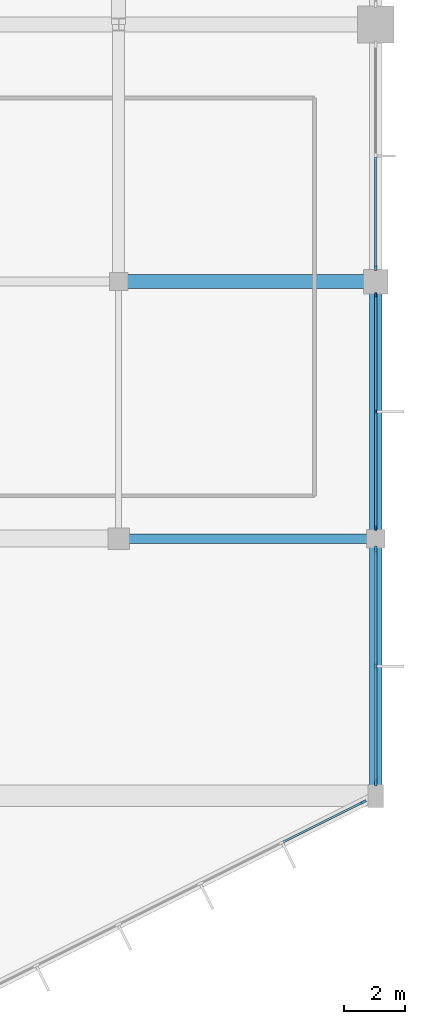
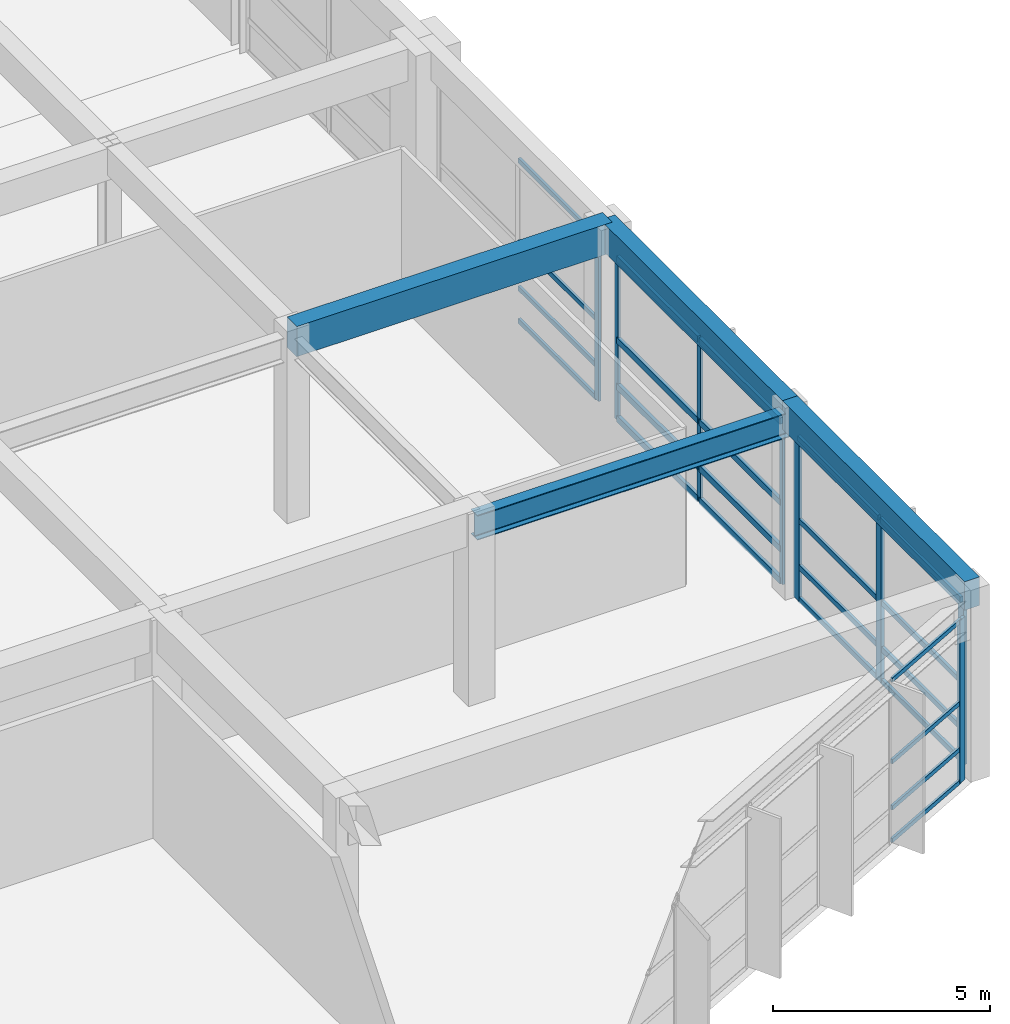
# One storey, part 29 of 62: 32 members, 4 beams, 4 elements without a shape of their own.
"""IFC4 building model written with IfcOpenShell, lengths in metres."""

from ifc_helpers import new_model, si_unit, direction, frame, origin, origin_2d, place, context, subcontext, project, spatial, rectangle, i_section, extrude, material, material_profile, profile_set, type_object, element, aggregate, save


model = new_model("IFC4")

# Units and contexts
model_context = context("Model", 3, precision=1e-05, world=origin(), true_north=direction((0.0, 1.0)))
body_context = subcontext(model_context, "Body", "Model", "MODEL_VIEW")
ifc_project = project(units=[si_unit("LENGTHUNIT", "METRE"), si_unit("AREAUNIT", "SQUARE_METRE"), si_unit("VOLUMEUNIT", "CUBIC_METRE"), si_unit("PLANEANGLEUNIT", "RADIAN"), si_unit("MASSUNIT", "GRAM", prefix="KILO")], contexts=[model_context])

# Site, building, storey
site_placement = place(None, origin())
site = spatial("IfcSite", under=ifc_project, at=site_placement, CompositionType="ELEMENT")
building_placement = place(site_placement, origin())
building = spatial("IfcBuilding", under=site, at=building_placement, Name="Xuanlan Plaza Opera House", CompositionType="ELEMENT")
storey_placement = place(building_placement, origin())
storey = spatial("IfcBuildingStorey", under=building, at=storey_placement, Name="L00", CompositionType="ELEMENT", Elevation=0.0)

# Curtain wall, members
ifc_material_1 = material(Name="Anodised Aluminium 6063-T6 and Low-E Glass", Category="aluminium")
curtain_wall_type_1 = type_object("IfcCurtainWallType", Name="ENV-CW-CW-01", PredefinedType="USERDEFINED", material=ifc_material_1)
curtain_wall_1_placement = place(storey_placement, origin())
curtain_wall_1 = element("IfcCurtainWall", 1, at=curtain_wall_1_placement, inside=storey, type_object=curtain_wall_type_1, Name="Unitised Curtain Wall L00-019", ObjectType="UNITISED CURTAIN WALL", PredefinedType="USERDEFINED")
ifc_material_2 = material(Name="Anodised Aluminium 6063-T6", Category="aluminium")
ifc_material_profile_1 = material_profile(ifc_material_2, rectangle(XDim=0.06494140625, YDim=0.159912109375, at=origin_2d()), Name="ALU-M 65x160")
ifc_profile_set_1 = profile_set([ifc_material_profile_1], Name="Anodised Aluminium 6063-T6")
member_type_1 = type_object("IfcMemberType", Name="ENV-CWM-01", PredefinedType="MULLION", material=ifc_profile_set_1)
member_1_placement = place(storey_placement, frame((168.0, 17.152587890625, 0.0), z_axis=(0.0, 0.0, 1.0), x_axis=(-1.0, 0.0, 0.0)))
member_1 = element("IfcMember", 2, at=member_1_placement, type_object=member_type_1, Name="CW-01 mullion 1", PredefinedType="MULLION", context=body_context, shape_type="SweptSolid", body=[
    extrude(rectangle(XDim=0.06494140625, YDim=0.159912109375, at=origin_2d()), origin(), (0.0, 0.0, 1.0), 4.580078125),
])
member_2_placement = place(storey_placement, frame((168.0, 20.949951171875, 0.0), z_axis=(0.0, 0.0, 1.0), x_axis=(-1.0, 0.0, 0.0)))
member_2 = element("IfcMember", 3, at=member_2_placement, type_object=member_type_1, Name="CW-01 mullion 2", PredefinedType="MULLION", context=body_context, shape_type="SweptSolid", body=[
    extrude(rectangle(XDim=0.06494140625, YDim=0.159912109375, at=origin_2d()), origin(), (0.0, 0.0, 1.0), 4.580078125),
])
member_3_placement = place(storey_placement, frame((168.0, 24.74755859375, 0.0), z_axis=(0.0, 0.0, 1.0), x_axis=(-1.0, 0.0, 0.0)))
member_3 = element("IfcMember", 4, at=member_3_placement, type_object=member_type_1, Name="CW-01 mullion 3", PredefinedType="MULLION", context=body_context, shape_type="SweptSolid", body=[
    extrude(rectangle(XDim=0.06494140625, YDim=0.159912109375, at=origin_2d()), origin(), (0.0, 0.0, 1.0), 4.580078125),
])

# Curtain wall, member
curtain_wall_type_2 = type_object("IfcCurtainWallType", Name="ENV-CW-CW-02", PredefinedType="USERDEFINED", material=ifc_material_1)
curtain_wall_2_placement = place(storey_placement, origin())
curtain_wall_2 = element("IfcCurtainWall", 5, at=curtain_wall_2_placement, inside=storey, type_object=curtain_wall_type_2, Name="Unitised Curtain Wall L00-020", ObjectType="UNITISED CURTAIN WALL", PredefinedType="USERDEFINED")
ifc_material_profile_2 = material_profile(ifc_material_2, rectangle(XDim=0.070068359375, YDim=0.179931640625, at=origin_2d()), Name="ALU-M 70x180")
ifc_profile_set_2 = profile_set([ifc_material_profile_2], Name="Anodised Aluminium 6063-T6")
member_type_2 = type_object("IfcMemberType", Name="ENV-CWM-02", PredefinedType="MULLION", material=ifc_profile_set_2)
member_4_placement = place(storey_placement, frame((168.0, 25.655029296875, 0.0), z_axis=(0.0, 0.0, 1.0), x_axis=(-1.0, 0.0, 0.0)))
member_4 = element("IfcMember", 6, at=member_4_placement, type_object=member_type_2, Name="CW-02 mullion 1", PredefinedType="MULLION", context=body_context, shape_type="SweptSolid", body=[
    extrude(rectangle(XDim=0.070068359375, YDim=0.179931640625, at=origin_2d()), origin(), (0.0, 0.0, 1.0), 4.580078125),
])

curtain_wall_type_3 = type_object("IfcCurtainWallType", Name="ENV-CW-CW-03", PredefinedType="USERDEFINED", material=ifc_material_1)
curtain_wall_3_placement = place(storey_placement, origin())
curtain_wall_3 = element("IfcCurtainWall", 7, at=curtain_wall_3_placement, inside=storey, type_object=curtain_wall_type_3, Name="Unitised Curtain Wall L00-017", ObjectType="UNITISED CURTAIN WALL", PredefinedType="USERDEFINED")
ifc_material_profile_3 = material_profile(ifc_material_2, rectangle(XDim=0.080078125, YDim=0.219970703125, at=origin_2d()), Name="ALU-M 80x220")
ifc_profile_set_3 = profile_set([ifc_material_profile_3], Name="Anodised Aluminium 6063-T6")
member_type_3 = type_object("IfcMemberType", Name="ENV-CWM-04", PredefinedType="MULLION", material=ifc_profile_set_3)
member_5_placement = place(storey_placement, frame((167.589111328125, 8.194580078125, 0.0), z_axis=(0.0, 0.0, 1.0), x_axis=(-0.447213595499, 0.894427191001, 0.0)))
member_5 = element("IfcMember", 8, at=member_5_placement, type_object=member_type_3, Name="CW-03 mullion 7", PredefinedType="MULLION", context=body_context, shape_type="SweptSolid", body=[
    extrude(rectangle(XDim=0.080078125, YDim=0.219970703125, at=origin_2d()), origin(), (0.0, 0.0, 1.0), 4.580078125),
])

# Curtain wall, members
curtain_wall_type_4 = type_object("IfcCurtainWallType", Name="ENV-CW-CW-04", PredefinedType="USERDEFINED", material=ifc_material_1)
curtain_wall_4_placement = place(storey_placement, origin())
curtain_wall_4 = element("IfcCurtainWall", 9, at=curtain_wall_4_placement, inside=storey, type_object=curtain_wall_type_4, Name="Unitised Curtain Wall L00-018", ObjectType="UNITISED CURTAIN WALL", PredefinedType="USERDEFINED")
ifc_material_profile_4 = material_profile(ifc_material_2, rectangle(XDim=0.090087890625, YDim=0.25, at=origin_2d()), Name="ALU-M 90x250")
ifc_profile_set_4 = profile_set([ifc_material_profile_4], Name="Anodised Aluminium 6063-T6")
member_type_4 = type_object("IfcMemberType", Name="ENV-CWM-05", PredefinedType="MULLION", material=ifc_profile_set_4)
member_6_placement = place(storey_placement, frame((168.0, 8.840087890625, 0.0), z_axis=(0.0, 0.0, 1.0), x_axis=(-1.0, 0.0, 0.0)))
member_6 = element("IfcMember", 10, at=member_6_placement, type_object=member_type_4, Name="CW-04 mullion 1", PredefinedType="MULLION", context=body_context, shape_type="SweptSolid", body=[
    extrude(rectangle(XDim=0.090087890625, YDim=0.25, at=origin_2d()), origin(), (0.0, 0.0, 1.0), 4.580078125),
])
member_7_placement = place(storey_placement, frame((168.0, 12.637451171875, 0.0), z_axis=(0.0, 0.0, 1.0), x_axis=(-1.0, 0.0, 0.0)))
member_7 = element("IfcMember", 11, at=member_7_placement, type_object=member_type_4, Name="CW-04 mullion 2", PredefinedType="MULLION", context=body_context, shape_type="SweptSolid", body=[
    extrude(rectangle(XDim=0.090087890625, YDim=0.25, at=origin_2d()), origin(), (0.0, 0.0, 1.0), 4.580078125),
])
member_8_placement = place(storey_placement, frame((168.0, 16.43505859375, 0.0), z_axis=(0.0, 0.0, 1.0), x_axis=(-1.0, 0.0, 0.0)))
member_8 = element("IfcMember", 12, at=member_8_placement, type_object=member_type_4, Name="CW-04 mullion 3", PredefinedType="MULLION", context=body_context, shape_type="SweptSolid", body=[
    extrude(rectangle(XDim=0.090087890625, YDim=0.25, at=origin_2d()), origin(), (0.0, 0.0, 1.0), 4.580078125),
])

# Member
ifc_material_profile_5 = material_profile(ifc_material_2, rectangle(XDim=0.06494140625, YDim=0.1201171875, at=origin_2d()), Name="ALU-T 65x120")
ifc_profile_set_5 = profile_set([ifc_material_profile_5], Name="Anodised Aluminium 6063-T6")
member_type_5 = type_object("IfcMemberType", Name="ENV-CWT-01", PredefinedType="USERDEFINED", material=ifc_profile_set_5)
member_9_placement = place(storey_placement, frame((164.9814453125, 6.890625, 0.032470703125), z_axis=(0.894427191, 0.4472135955, 0.0), x_axis=(-0.4472135955, 0.894427191, 0.0)))
member_9 = element("IfcMember", 13, at=member_9_placement, type_object=member_type_5, Name="CW-03 transom 6.1", ObjectType="TRANSOM", PredefinedType="USERDEFINED", context=body_context, shape_type="SweptSolid", body=[
    extrude(rectangle(XDim=0.06494140625, YDim=0.1201171875, at=origin_2d()), origin(), (0.0, 0.0, 1.0), 2.875244140625),
])

member_10_placement = place(storey_placement, frame((164.9814453125, 6.890625, 0.949951171875), z_axis=(0.894427191, 0.4472135955, 0.0), x_axis=(-0.4472135955, 0.894427191, 0.0)))
member_10 = element("IfcMember", 14, at=member_10_placement, type_object=member_type_5, Name="CW-03 transom 6.2", ObjectType="TRANSOM", PredefinedType="USERDEFINED", context=body_context, shape_type="SweptSolid", body=[
    extrude(rectangle(XDim=0.06494140625, YDim=0.1201171875, at=origin_2d()), origin(), (0.0, 0.0, 1.0), 2.875244140625),
])

member_11_placement = place(storey_placement, frame((164.9814453125, 6.890625, 2.25), z_axis=(0.894427191, 0.4472135955, 0.0), x_axis=(-0.4472135955, 0.894427191, 0.0)))
member_11 = element("IfcMember", 15, at=member_11_placement, type_object=member_type_5, Name="CW-03 transom 6.3", ObjectType="TRANSOM", PredefinedType="USERDEFINED", context=body_context, shape_type="SweptSolid", body=[
    extrude(rectangle(XDim=0.06494140625, YDim=0.1201171875, at=origin_2d()), origin(), (0.0, 0.0, 1.0), 2.875244140625),
])

member_12_placement = place(storey_placement, frame((164.9814453125, 6.890625, 4.547607421875), z_axis=(0.894427191, 0.4472135955, 0.0), x_axis=(-0.4472135955, 0.894427191, 0.0)))
member_12 = element("IfcMember", 16, at=member_12_placement, type_object=member_type_5, Name="CW-03 transom 6.4", ObjectType="TRANSOM", PredefinedType="USERDEFINED", context=body_context, shape_type="SweptSolid", body=[
    extrude(rectangle(XDim=0.06494140625, YDim=0.1201171875, at=origin_2d()), origin(), (0.0, 0.0, 1.0), 2.875244140625),
])

aggregate(curtain_wall_3, [member_5, member_9, member_10, member_11, member_12])

ifc_material_profile_6 = material_profile(ifc_material_2, rectangle(XDim=0.070068359375, YDim=0.135009765625, at=origin_2d()), Name="ALU-T 70x135")
ifc_profile_set_6 = profile_set([ifc_material_profile_6], Name="Anodised Aluminium 6063-T6")
member_type_6 = type_object("IfcMemberType", Name="ENV-CWT-02", PredefinedType="USERDEFINED", material=ifc_profile_set_6)
member_13_placement = place(storey_placement, frame((168.0, 25.68994140625, 0.034912109375), z_axis=(0.0, 1.0, 0.0), x_axis=(-1.0, 0.0, 0.0)))
member_13 = element("IfcMember", 17, at=member_13_placement, type_object=member_type_6, Name="CW-02 transom 1.1", ObjectType="TRANSOM", PredefinedType="USERDEFINED", context=body_context, shape_type="SweptSolid", body=[
    extrude(rectangle(XDim=0.070068359375, YDim=0.135009765625, at=origin_2d()), origin(), (0.0, 0.0, 1.0), 3.574951171875),
])

member_14_placement = place(storey_placement, frame((168.0, 25.68994140625, 0.949951171875), z_axis=(0.0, 1.0, 0.0), x_axis=(-1.0, 0.0, 0.0)))
member_14 = element("IfcMember", 18, at=member_14_placement, type_object=member_type_6, Name="CW-02 transom 1.2", ObjectType="TRANSOM", PredefinedType="USERDEFINED", context=body_context, shape_type="SweptSolid", body=[
    extrude(rectangle(XDim=0.070068359375, YDim=0.135009765625, at=origin_2d()), origin(), (0.0, 0.0, 1.0), 3.574951171875),
])

member_15_placement = place(storey_placement, frame((168.0, 25.68994140625, 2.25), z_axis=(0.0, 1.0, 0.0), x_axis=(-1.0, 0.0, 0.0)))
member_15 = element("IfcMember", 19, at=member_15_placement, type_object=member_type_6, Name="CW-02 transom 1.3", ObjectType="TRANSOM", PredefinedType="USERDEFINED", context=body_context, shape_type="SweptSolid", body=[
    extrude(rectangle(XDim=0.070068359375, YDim=0.135009765625, at=origin_2d()), origin(), (0.0, 0.0, 1.0), 3.574951171875),
])

member_16_placement = place(storey_placement, frame((168.0, 25.68994140625, 4.544921875), z_axis=(0.0, 1.0, 0.0), x_axis=(-1.0, 0.0, 0.0)))
member_16 = element("IfcMember", 20, at=member_16_placement, type_object=member_type_6, Name="CW-02 transom 1.4", ObjectType="TRANSOM", PredefinedType="USERDEFINED", context=body_context, shape_type="SweptSolid", body=[
    extrude(rectangle(XDim=0.070068359375, YDim=0.135009765625, at=origin_2d()), origin(), (0.0, 0.0, 1.0), 3.574951171875),
])

aggregate(curtain_wall_2, [member_4, member_13, member_14, member_15, member_16])

ifc_material_profile_7 = material_profile(ifc_material_2, rectangle(XDim=0.074951171875, YDim=0.14990234375, at=origin_2d()), Name="ALU-T 75x150")
ifc_profile_set_7 = profile_set([ifc_material_profile_7], Name="Anodised Aluminium 6063-T6")
member_type_7 = type_object("IfcMemberType", Name="ENV-CWT-03", PredefinedType="USERDEFINED", material=ifc_profile_set_7)
member_17_placement = place(storey_placement, frame((168.0, 8.885009765625, 0.03759765625), z_axis=(0.0, 1.0, 0.0), x_axis=(-1.0, 0.0, 0.0)))
member_17 = element("IfcMember", 21, at=member_17_placement, type_object=member_type_7, Name="CW-04 transom 1.1", ObjectType="TRANSOM", PredefinedType="USERDEFINED", context=body_context, shape_type="SweptSolid", body=[
    extrude(rectangle(XDim=0.074951171875, YDim=0.14990234375, at=origin_2d()), origin(), (0.0, 0.0, 1.0), 3.70751953125),
])

member_18_placement = place(storey_placement, frame((168.0, 8.885009765625, 0.949951171875), z_axis=(0.0, 1.0, 0.0), x_axis=(-1.0, 0.0, 0.0)))
member_18 = element("IfcMember", 22, at=member_18_placement, type_object=member_type_7, Name="CW-04 transom 1.2", ObjectType="TRANSOM", PredefinedType="USERDEFINED", context=body_context, shape_type="SweptSolid", body=[
    extrude(rectangle(XDim=0.074951171875, YDim=0.14990234375, at=origin_2d()), origin(), (0.0, 0.0, 1.0), 3.70751953125),
])

member_19_placement = place(storey_placement, frame((168.0, 8.885009765625, 2.25), z_axis=(0.0, 1.0, 0.0), x_axis=(-1.0, 0.0, 0.0)))
member_19 = element("IfcMember", 23, at=member_19_placement, type_object=member_type_7, Name="CW-04 transom 1.3", ObjectType="TRANSOM", PredefinedType="USERDEFINED", context=body_context, shape_type="SweptSolid", body=[
    extrude(rectangle(XDim=0.074951171875, YDim=0.14990234375, at=origin_2d()), origin(), (0.0, 0.0, 1.0), 3.70751953125),
])

member_20_placement = place(storey_placement, frame((168.0, 8.885009765625, 4.54248046875), z_axis=(0.0, 1.0, 0.0), x_axis=(-1.0, 0.0, 0.0)))
member_20 = element("IfcMember", 24, at=member_20_placement, type_object=member_type_7, Name="CW-04 transom 1.4", ObjectType="TRANSOM", PredefinedType="USERDEFINED", context=body_context, shape_type="SweptSolid", body=[
    extrude(rectangle(XDim=0.074951171875, YDim=0.14990234375, at=origin_2d()), origin(), (0.0, 0.0, 1.0), 3.70751953125),
])

member_21_placement = place(storey_placement, frame((168.0, 12.6826171875, 0.03759765625), z_axis=(0.0, 1.0, 0.0), x_axis=(-1.0, 0.0, 0.0)))
member_21 = element("IfcMember", 25, at=member_21_placement, type_object=member_type_7, Name="CW-04 transom 2.1", ObjectType="TRANSOM", PredefinedType="USERDEFINED", context=body_context, shape_type="SweptSolid", body=[
    extrude(rectangle(XDim=0.074951171875, YDim=0.14990234375, at=origin_2d()), origin(), (0.0, 0.0, 1.0), 3.707275390625),
])

member_22_placement = place(storey_placement, frame((168.0, 12.6826171875, 0.949951171875), z_axis=(0.0, 1.0, 0.0), x_axis=(-1.0, 0.0, 0.0)))
member_22 = element("IfcMember", 26, at=member_22_placement, type_object=member_type_7, Name="CW-04 transom 2.2", ObjectType="TRANSOM", PredefinedType="USERDEFINED", context=body_context, shape_type="SweptSolid", body=[
    extrude(rectangle(XDim=0.074951171875, YDim=0.14990234375, at=origin_2d()), origin(), (0.0, 0.0, 1.0), 3.707275390625),
])

member_23_placement = place(storey_placement, frame((168.0, 12.6826171875, 2.25), z_axis=(0.0, 1.0, 0.0), x_axis=(-1.0, 0.0, 0.0)))
member_23 = element("IfcMember", 27, at=member_23_placement, type_object=member_type_7, Name="CW-04 transom 2.3", ObjectType="TRANSOM", PredefinedType="USERDEFINED", context=body_context, shape_type="SweptSolid", body=[
    extrude(rectangle(XDim=0.074951171875, YDim=0.14990234375, at=origin_2d()), origin(), (0.0, 0.0, 1.0), 3.707275390625),
])

member_24_placement = place(storey_placement, frame((168.0, 12.6826171875, 4.54248046875), z_axis=(0.0, 1.0, 0.0), x_axis=(-1.0, 0.0, 0.0)))
member_24 = element("IfcMember", 28, at=member_24_placement, type_object=member_type_7, Name="CW-04 transom 2.4", ObjectType="TRANSOM", PredefinedType="USERDEFINED", context=body_context, shape_type="SweptSolid", body=[
    extrude(rectangle(XDim=0.074951171875, YDim=0.14990234375, at=origin_2d()), origin(), (0.0, 0.0, 1.0), 3.707275390625),
])

aggregate(curtain_wall_4, [member_6, member_7, member_8, member_17, member_18, member_19, member_20, member_21, member_22, member_23, member_24])

ifc_material_profile_8 = material_profile(ifc_material_2, rectangle(XDim=0.090087890625, YDim=0.179931640625, at=origin_2d()), Name="ALU-T 90x180")
ifc_profile_set_8 = profile_set([ifc_material_profile_8], Name="Anodised Aluminium 6063-T6")
member_type_8 = type_object("IfcMemberType", Name="ENV-CWT-05", PredefinedType="USERDEFINED", material=ifc_profile_set_8)
member_25_placement = place(storey_placement, frame((168.0, 17.18505859375, 0.044921875), z_axis=(0.0, 1.0, 0.0), x_axis=(-1.0, 0.0, 0.0)))
member_25 = element("IfcMember", 29, at=member_25_placement, type_object=member_type_8, Name="CW-01 transom 1.1", ObjectType="TRANSOM", PredefinedType="USERDEFINED", context=body_context, shape_type="SweptSolid", body=[
    extrude(rectangle(XDim=0.090087890625, YDim=0.179931640625, at=origin_2d()), origin(), (0.0, 0.0, 1.0), 3.732421875),
])

member_26_placement = place(storey_placement, frame((168.0, 17.18505859375, 0.949951171875), z_axis=(0.0, 1.0, 0.0), x_axis=(-1.0, 0.0, 0.0)))
member_26 = element("IfcMember", 30, at=member_26_placement, type_object=member_type_8, Name="CW-01 transom 1.2", ObjectType="TRANSOM", PredefinedType="USERDEFINED", context=body_context, shape_type="SweptSolid", body=[
    extrude(rectangle(XDim=0.090087890625, YDim=0.179931640625, at=origin_2d()), origin(), (0.0, 0.0, 1.0), 3.732421875),
])

member_27_placement = place(storey_placement, frame((168.0, 17.18505859375, 2.25), z_axis=(0.0, 1.0, 0.0), x_axis=(-1.0, 0.0, 0.0)))
member_27 = element("IfcMember", 31, at=member_27_placement, type_object=member_type_8, Name="CW-01 transom 1.3", ObjectType="TRANSOM", PredefinedType="USERDEFINED", context=body_context, shape_type="SweptSolid", body=[
    extrude(rectangle(XDim=0.090087890625, YDim=0.179931640625, at=origin_2d()), origin(), (0.0, 0.0, 1.0), 3.732421875),
])

member_28_placement = place(storey_placement, frame((168.0, 17.18505859375, 4.534912109375), z_axis=(0.0, 1.0, 0.0), x_axis=(-1.0, 0.0, 0.0)))
member_28 = element("IfcMember", 32, at=member_28_placement, type_object=member_type_8, Name="CW-01 transom 1.4", ObjectType="TRANSOM", PredefinedType="USERDEFINED", context=body_context, shape_type="SweptSolid", body=[
    extrude(rectangle(XDim=0.090087890625, YDim=0.179931640625, at=origin_2d()), origin(), (0.0, 0.0, 1.0), 3.732421875),
])

member_29_placement = place(storey_placement, frame((168.0, 20.982421875, 0.044921875), z_axis=(0.0, 1.0, 0.0), x_axis=(-1.0, 0.0, 0.0)))
member_29 = element("IfcMember", 33, at=member_29_placement, type_object=member_type_8, Name="CW-01 transom 2.1", ObjectType="TRANSOM", PredefinedType="USERDEFINED", context=body_context, shape_type="SweptSolid", body=[
    extrude(rectangle(XDim=0.090087890625, YDim=0.179931640625, at=origin_2d()), origin(), (0.0, 0.0, 1.0), 3.732666015625),
])

member_30_placement = place(storey_placement, frame((168.0, 20.982421875, 0.949951171875), z_axis=(0.0, 1.0, 0.0), x_axis=(-1.0, 0.0, 0.0)))
member_30 = element("IfcMember", 34, at=member_30_placement, type_object=member_type_8, Name="CW-01 transom 2.2", ObjectType="TRANSOM", PredefinedType="USERDEFINED", context=body_context, shape_type="SweptSolid", body=[
    extrude(rectangle(XDim=0.090087890625, YDim=0.179931640625, at=origin_2d()), origin(), (0.0, 0.0, 1.0), 3.732666015625),
])

member_31_placement = place(storey_placement, frame((168.0, 20.982421875, 2.25), z_axis=(0.0, 1.0, 0.0), x_axis=(-1.0, 0.0, 0.0)))
member_31 = element("IfcMember", 35, at=member_31_placement, type_object=member_type_8, Name="CW-01 transom 2.3", ObjectType="TRANSOM", PredefinedType="USERDEFINED", context=body_context, shape_type="SweptSolid", body=[
    extrude(rectangle(XDim=0.090087890625, YDim=0.179931640625, at=origin_2d()), origin(), (0.0, 0.0, 1.0), 3.732666015625),
])

member_32_placement = place(storey_placement, frame((168.0, 20.982421875, 4.534912109375), z_axis=(0.0, 1.0, 0.0), x_axis=(-1.0, 0.0, 0.0)))
member_32 = element("IfcMember", 36, at=member_32_placement, type_object=member_type_8, Name="CW-01 transom 2.4", ObjectType="TRANSOM", PredefinedType="USERDEFINED", context=body_context, shape_type="SweptSolid", body=[
    extrude(rectangle(XDim=0.090087890625, YDim=0.179931640625, at=origin_2d()), origin(), (0.0, 0.0, 1.0), 3.732666015625),
])

aggregate(curtain_wall_1, [member_1, member_2, member_3, member_25, member_26, member_27, member_28, member_29, member_30, member_31, member_32])

# Beams
ifc_material_3 = material(Name="Concrete C40", Category="concrete")
ifc_material_profile_9 = material_profile(ifc_material_3, rectangle(XDim=0.449951171875, YDim=0.85009765625, at=origin_2d()), Name="RC-BM 450x850")
ifc_profile_set_9 = profile_set([ifc_material_profile_9], Name="Concrete C40")
beam_type_1 = type_object("IfcBeamType", Name="STR-BM-B-04", PredefinedType="BEAM", material=ifc_profile_set_9)
beam_1_placement = place(storey_placement, frame((159.60009765625, 25.199951171875, 4.97509765625), z_axis=(1.0, 0.0, 0.0), x_axis=(0.0, 1.0, 0.0)))
element("IfcBeam", 37, at=beam_1_placement, inside=storey, type_object=beam_type_1, Name="Grid Beam X L00 20-21/D", PredefinedType="BEAM", context=body_context, shape_type="SweptSolid", body=[
    extrude(rectangle(XDim=0.449951171875, YDim=0.85009765625, at=origin_2d()), origin(), (0.0, 0.0, 1.0), 8.39990234375),
])
ifc_material_4 = material(Name="Steel Q355B", Category="steel")
ifc_material_profile_10 = material_profile(ifc_material_4, i_section(OverallWidth=0.300048828125, OverallDepth=0.699951171875, WebThickness=0.012939453125, FlangeThickness=0.02392578125, FilletRadius=0.02392578125, at=origin_2d()), Name="HN 700x300x13x24")
ifc_profile_set_10 = profile_set([ifc_material_profile_10], Name="Steel Q355B")
beam_type_2 = type_object("IfcBeamType", Name="STR-BM-SB-03", PredefinedType="BEAM", material=ifc_profile_set_10)
beam_2_placement = place(storey_placement, frame((159.60009765625, 16.800048828125, 4.784912109375), z_axis=(1.0, 0.0, 0.0), x_axis=(0.0, 1.0, 0.0)))
element("IfcBeam", 38, at=beam_2_placement, inside=storey, type_object=beam_type_2, Name="Grid Beam X L00 20-21/C", PredefinedType="BEAM", context=body_context, shape_type="SweptSolid", body=[
    extrude(i_section(OverallWidth=0.300048828125, OverallDepth=0.699951171875, WebThickness=0.012939453125, FlangeThickness=0.02392578125, FilletRadius=0.02392578125, at=origin_2d()), origin(), (0.0, 0.0, 1.0), 8.39990234375),
])
ifc_material_profile_11 = material_profile(ifc_material_3, rectangle(XDim=0.39990234375, YDim=0.800048828125, at=origin_2d()), Name="RC-SPD 400x800")
ifc_profile_set_11 = profile_set([ifc_material_profile_11], Name="Concrete C40")
beam_type_3 = type_object("IfcBeamType", Name="STR-BM-SP-01", PredefinedType="SPANDREL", material=ifc_profile_set_11)
beam_3_placement = place(storey_placement, frame((168.0, 8.39990234375, 5.0), z_axis=(0.0, 1.0, 0.0), x_axis=(-1.0, 0.0, 0.0)))
element("IfcBeam", 39, at=beam_3_placement, inside=storey, type_object=beam_type_3, Name="Grid Beam Y L00 21/B-C", PredefinedType="SPANDREL", context=body_context, shape_type="SweptSolid", body=[
    extrude(rectangle(XDim=0.39990234375, YDim=0.800048828125, at=origin_2d()), origin(), (0.0, 0.0, 1.0), 8.400146484375),
])
beam_4_placement = place(storey_placement, frame((168.0, 16.800048828125, 5.0), z_axis=(0.0, 1.0, 0.0), x_axis=(-1.0, 0.0, 0.0)))
element("IfcBeam", 40, at=beam_4_placement, inside=storey, type_object=beam_type_3, Name="Grid Beam Y L00 21/C-D", PredefinedType="SPANDREL", context=body_context, shape_type="SweptSolid", body=[
    extrude(rectangle(XDim=0.39990234375, YDim=0.800048828125, at=origin_2d()), origin(), (0.0, 0.0, 1.0), 8.39990234375),
])

save(model, "model.ifc")
